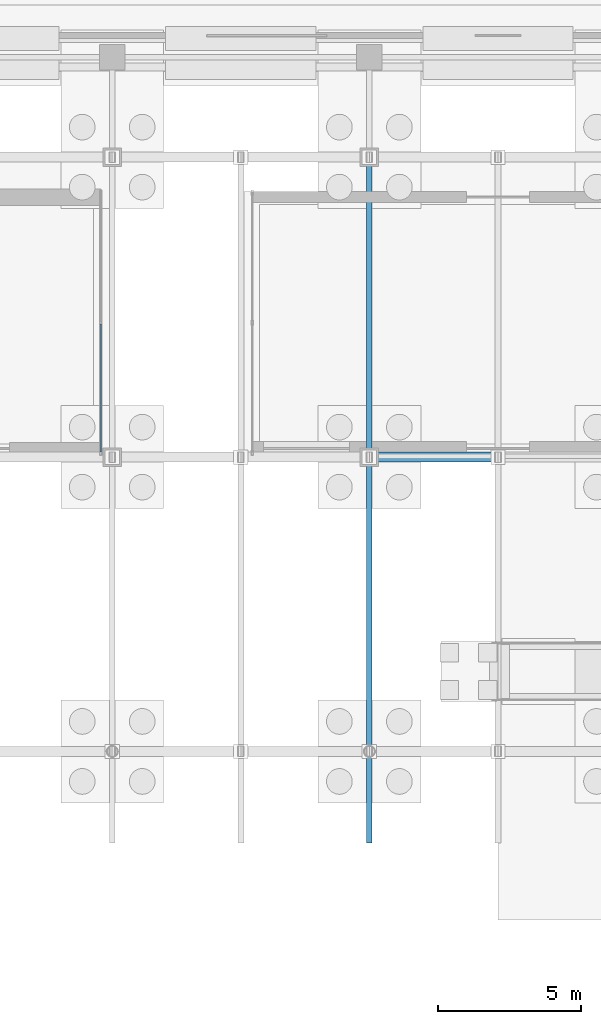
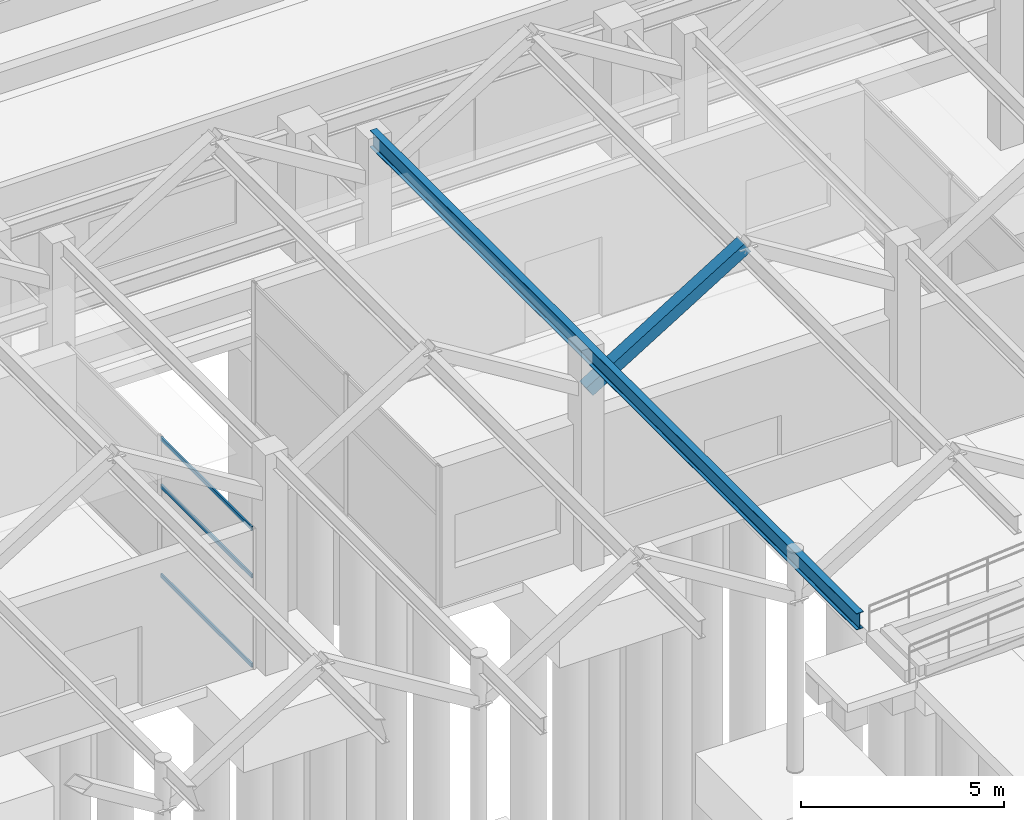
# One storey, part 47 of 160: 4 members, 1 beam, 1 element without a shape of its own.
"""IFC4 building model written with IfcOpenShell, lengths in metres."""

from ifc_helpers import new_model, si_unit, direction, frame, origin, origin_2d, place, context, subcontext, project, spatial, hollow_rectangle, i_section, extrude, material, layer, layer_set, material_profile, profile_set, type_object, element, aggregate, save


model = new_model("IFC4")

# Units and contexts
model_context = context("Model", 3, precision=1e-05, world=origin(), true_north=direction((0.0, 1.0)))
body_context = subcontext(model_context, "Body", "Model", "MODEL_VIEW")
ifc_project = project(units=[si_unit("LENGTHUNIT", "METRE"), si_unit("AREAUNIT", "SQUARE_METRE"), si_unit("VOLUMEUNIT", "CUBIC_METRE"), si_unit("PLANEANGLEUNIT", "RADIAN"), si_unit("MASSUNIT", "GRAM", prefix="KILO")], contexts=[model_context])

# Site, building, storey
site_placement = place(None, origin())
site = spatial("IfcSite", under=ifc_project, at=site_placement, CompositionType="ELEMENT")
building_placement = place(site_placement, origin())
building = spatial("IfcBuilding", under=site, at=building_placement, Name="Marlcrest Central Station", CompositionType="ELEMENT")
storey_placement = place(building_placement, origin())
storey = spatial("IfcBuildingStorey", under=building, at=storey_placement, Name="L00", CompositionType="ELEMENT", Elevation=0.0)

# Beam
ifc_material_1 = material(Name="Steel S355", Category="steel")
ifc_material_profile_1 = material_profile(ifc_material_1, i_section(OverallWidth=0.199951171875, OverallDepth=0.5, WebThickness=0.01025390625, FlangeThickness=0.01611328125, FilletRadius=0.02099609375, at=origin_2d()), Name="IPE 500")
ifc_profile_set_1 = profile_set([ifc_material_profile_1], Name="Steel S355")
beam_type = type_object("IfcBeamType", Name="BM-05", PredefinedType="BEAM", material=ifc_profile_set_1)
beam_placement = place(storey_placement, frame((27.0, 9.0, 6.389892578125), z_axis=(0.0, 1.0, 0.0), x_axis=(-1.0, 0.0, 0.0)))
element("IfcBeam", 1, at=beam_placement, inside=storey, type_object=beam_type, Name="bm-BM-05-L00-01044", PredefinedType="BEAM", context=body_context, shape_type="SweptSolid", body=[
    extrude(i_section(OverallWidth=0.199951171875, OverallDepth=0.5, WebThickness=0.01025390625, FlangeThickness=0.01611328125, FilletRadius=0.02099609375, at=origin_2d()), origin(), (0.0, 0.0, 1.0), 24.0),
])

# Member
ifc_material_profile_2 = material_profile(ifc_material_1, hollow_rectangle(XDim=0.35009765625, YDim=0.35009765625, WallThickness=0.01611328125, at=origin_2d()), Name="SHS 350x350x16")
ifc_profile_set_2 = profile_set([ifc_material_profile_2], Name="Steel S355")
member_type_1 = type_object("IfcMemberType", Name="ST-02", PredefinedType="STRUT", material=ifc_profile_set_2)
member_1_placement = place(storey_placement, frame((27.0, 22.5, 5.199951171875), z_axis=(0.851591684043, 0.0, 0.524205688322), x_axis=(0.0, 1.0, 0.0)))
element("IfcMember", 2, at=member_1_placement, inside=storey, type_object=member_type_1, Name="mem-ST-02-L00-00039", PredefinedType="STRUT", context=body_context, shape_type="SweptSolid", body=[
    extrude(hollow_rectangle(XDim=0.35009765625, YDim=0.35009765625, WallThickness=0.01611328125, at=origin_2d()), origin(), (0.0, 0.0, 1.0), 5.2841796875),
])

# Curtain wall, members
ifc_material_2 = material(Name="Anodised aluminium and hurricane laminated glass", Category="aluminium")
ifc_layer = layer(ifc_material_2, 0.179931640625, Name="CW-S1")
ifc_layer_set = layer_set([ifc_layer], Name="Anodised aluminium and hurricane laminated glass")
curtain_wall_type = type_object("IfcCurtainWallType", Name="CW-S1", PredefinedType="USERDEFINED", material=ifc_layer_set)
curtain_wall_placement = place(storey_placement, origin())
curtain_wall = element("IfcCurtainWall", 3, at=curtain_wall_placement, inside=storey, type_object=curtain_wall_type, Name="cw-L00-0144", ObjectType="STICK_CURTAIN_WALL", PredefinedType="USERDEFINED")
ifc_material_3 = material(Name="Anodised aluminium 6063-T6", Category="aluminium")
ifc_material_profile_3 = material_profile(ifc_material_3, hollow_rectangle(XDim=0.050048828125, YDim=0.1201171875, WallThickness=0.00390625, at=origin_2d()), Name="AA-RHS 120x50x4")
ifc_profile_set_3 = profile_set([ifc_material_profile_3], Name="Anodised aluminium 6063-T6")
member_type_2 = type_object("IfcMemberType", Name="TR-02", PredefinedType="USERDEFINED", material=ifc_profile_set_3)
member_2_placement = place(storey_placement, frame((17.60009765625, 27.1669921875, 0.0400390625), z_axis=(0.0, -1.0, 0.0), x_axis=(1.0, 0.0, 0.0)))
member_2 = element("IfcMember", 4, at=member_2_placement, type_object=member_type_2, Name="cw-L00-0144-tr-1-sill", ObjectType="TRANSOM", PredefinedType="USERDEFINED", context=body_context, shape_type="SweptSolid", body=[
    extrude(hollow_rectangle(XDim=0.050048828125, YDim=0.1201171875, WallThickness=0.00390625, at=origin_2d()), origin(), (0.0, 0.0, 1.0), 4.48388671875),
])
member_3_placement = place(storey_placement, frame((17.60009765625, 27.1669921875, 2.72998046875), z_axis=(0.0, -1.0, 0.0), x_axis=(1.0, 0.0, 0.0)))
member_3 = element("IfcMember", 5, at=member_3_placement, type_object=member_type_2, Name="cw-L00-0144-tr-1-mid", ObjectType="TRANSOM", PredefinedType="USERDEFINED", context=body_context, shape_type="SweptSolid", body=[
    extrude(hollow_rectangle(XDim=0.050048828125, YDim=0.1201171875, WallThickness=0.00390625, at=origin_2d()), origin(), (0.0, 0.0, 1.0), 4.48388671875),
])
member_4_placement = place(storey_placement, frame((17.60009765625, 27.1669921875, 4.159912109375), z_axis=(0.0, -1.0, 0.0), x_axis=(1.0, 0.0, 0.0)))
member_4 = element("IfcMember", 6, at=member_4_placement, type_object=member_type_2, Name="cw-L00-0144-tr-1-head", ObjectType="TRANSOM", PredefinedType="USERDEFINED", context=body_context, shape_type="SweptSolid", body=[
    extrude(hollow_rectangle(XDim=0.050048828125, YDim=0.1201171875, WallThickness=0.00390625, at=origin_2d()), origin(), (0.0, 0.0, 1.0), 4.48388671875),
])
aggregate(curtain_wall, [member_2, member_3, member_4])

save(model, "model.ifc")
